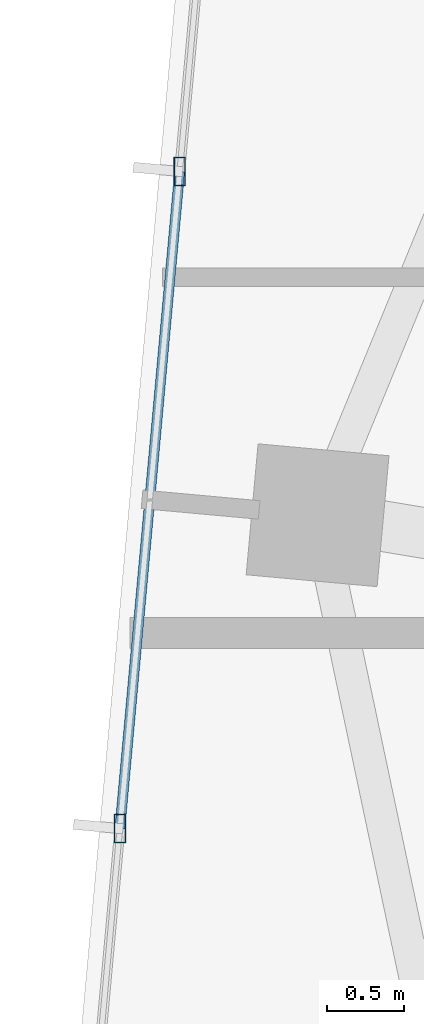
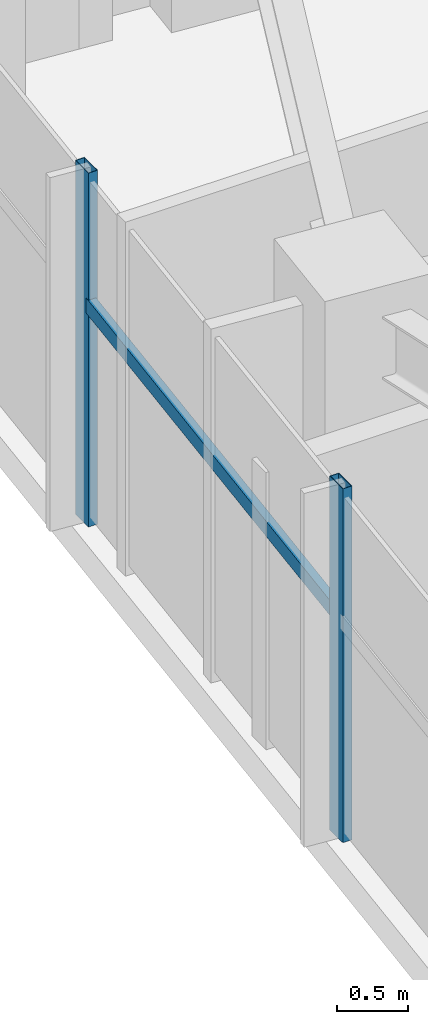
# One storey, part 4 of 22: 3 members, 1 element without a shape of its own.
"""IFC4 building model written with IfcOpenShell, lengths in metres."""

import ifcopenshell
import ifcopenshell.guid

model = None  # the IFC model being written
_history = None  # IfcOwnerHistory: only IFC2X3 demands one
_inside = {}  # id of a spatial element -> (the spatial element, [elements in it])
_under = {}  # id of a project, library or spatial element -> (it, [spatial elements below it])
_declared = {}  # id of a project -> (the project, [libraries it declares])
_typed = {}  # id of a type object -> (the type object, [elements of that type])
_made_of = {}  # id of a material, layer set ... -> (it, [elements and type objects made of it])


def new_model(schema):
    """Start an empty IFC model of exactly this schema.

    Asked for "IFC4X3", IfcOpenShell would pick the latest addendum, in which some entities
    have other attributes; the version numbers below select the first issue.
    IFC2X3 requires an IfcOwnerHistory on every rooted entity: one is made here for all.
    """
    global model, _history
    if schema == "IFC4X3":
        model = ifcopenshell.file(schema_version=(4, 3, 0, 0))
    else:
        model = ifcopenshell.file(schema=schema)
    _inside.clear()
    _under.clear()
    _declared.clear()
    _typed.clear()
    _made_of.clear()
    _history = None
    if model.schema == "IFC2X3":
        org = make("IfcOrganization", Name="unknown")
        user = make(
            "IfcPersonAndOrganization",
            ThePerson=make("IfcPerson", FamilyName="unknown"),
            TheOrganization=org,
        )
        app = make(
            "IfcApplication",
            ApplicationDeveloper=org,
            Version="unknown",
            ApplicationFullName="unknown",
            ApplicationIdentifier="unknown",
        )
        _history = make(
            "IfcOwnerHistory",
            OwningUser=user,
            OwningApplication=app,
            ChangeAction="ADDED",
            CreationDate=0,
        )
    return model


def make(cls, **values):
    """One entity of the class cls with the attributes given. An attribute that is None is left unset."""
    return model.create_entity(
        cls, **{name: value for name, value in values.items() if value is not None}
    )


def rooted(cls, **values):
    """An entity with a GlobalId (a new one), such as an element, a storey or a relation."""
    return make(cls, GlobalId=ifcopenshell.guid.new(), OwnerHistory=_history, **values)


def si_unit(unit_type, name, prefix=None):
    """IfcSIUnit, for example si_unit("LENGTHUNIT", "METRE", prefix="MILLI")."""
    return make("IfcSIUnit", UnitType=unit_type, Prefix=prefix, Name=name)


def assignment(units):
    """IfcUnitAssignment: the units of a project."""
    return None if units is None else make("IfcUnitAssignment", Units=units)


def point(xyz):
    """IfcCartesianPoint."""
    return None if xyz is None else make("IfcCartesianPoint", Coordinates=xyz)


def direction(xyz):
    """IfcDirection."""
    return None if xyz is None else make("IfcDirection", DirectionRatios=xyz)


def frame(location, z_axis=None, x_axis=None):
    """IfcAxis2Placement3D, a coordinate frame: its origin and axes. An axis left out is left unset."""
    return make(
        "IfcAxis2Placement3D",
        Location=point(location),
        Axis=direction(z_axis),
        RefDirection=direction(x_axis),
    )


def frame_2d(location, x_axis=None):
    """IfcAxis2Placement2D, a coordinate frame in the plane: its origin and x axis."""
    return make(
        "IfcAxis2Placement2D", Location=point(location), RefDirection=direction(x_axis)
    )


def origin():
    """The frame at (0, 0, 0) with its axes left unset."""
    return frame((0.0, 0.0, 0.0))


def origin_2d():
    """The frame at (0, 0) in the plane with its x axis left unset."""
    return frame_2d((0.0, 0.0))


def place(relative_to, where):
    """IfcLocalPlacement: puts the frame where relative to a parent placement (None: the world)."""
    return make(
        "IfcLocalPlacement", PlacementRelTo=relative_to, RelativePlacement=where
    )


def context(
    kind, dimensions, precision=None, world=None, true_north=None, identifier=None
):
    """IfcGeometricRepresentationContext, for example the 3D "Model" context."""
    return make(
        "IfcGeometricRepresentationContext",
        ContextIdentifier=identifier,
        ContextType=kind,
        CoordinateSpaceDimension=dimensions,
        Precision=precision,
        WorldCoordinateSystem=world,
        TrueNorth=true_north,
    )


def subcontext(parent, identifier, kind, view, scale=None):
    """IfcGeometricRepresentationSubContext, for example "Body" below "Model"."""
    return make(
        "IfcGeometricRepresentationSubContext",
        ContextIdentifier=identifier,
        ContextType=kind,
        ParentContext=parent,
        TargetScale=scale,
        TargetView=view,
    )


def project(units=None, contexts=None):
    """IfcProject with its units and contexts."""
    return rooted(
        "IfcProject",
        Name="project",
        RepresentationContexts=contexts,
        UnitsInContext=assignment(units),
    )


def spatial(cls, under=None, at=None, **own):
    """A site, building, storey or space (cls), placed at a placement, below another one or the project."""
    s = rooted(cls, ObjectPlacement=at, **own)
    if under is not None:
        _under.setdefault(under.id(), (under, []))[1].append(s)
    return s


def profile(cls, at=None, kind="AREA", **sizes):
    """A parametric profile (cls). Its sizes go by their IFC names, for example OverallWidth=200.0."""
    return make(cls, ProfileType=kind, Position=at, **sizes)


def hollow_rectangle(**sizes):
    """IfcRectangleHollowProfileDef."""
    return profile("IfcRectangleHollowProfileDef", **sizes)


def extrude(swept, where, along, depth):
    """IfcExtrudedAreaSolid: the profile swept, set in the frame where, extruded along a direction by depth."""
    return make(
        "IfcExtrudedAreaSolid",
        SweptArea=swept,
        Position=where,
        ExtrudedDirection=direction(along),
        Depth=depth,
    )


def shape(context_of_items, identifier, shape_type, items):
    """IfcShapeRepresentation: the items that make up one representation, for example the "Body"."""
    return make(
        "IfcShapeRepresentation",
        ContextOfItems=context_of_items,
        RepresentationIdentifier=identifier,
        RepresentationType=shape_type,
        Items=items,
    )


def source(mapping_origin, context_of_items, identifier, shape_type, items):
    """IfcRepresentationMap: a shape defined once, which mapped items show again and again."""
    return make(
        "IfcRepresentationMap",
        MappingOrigin=mapping_origin,
        MappedRepresentation=shape(context_of_items, identifier, shape_type, items),
    )


def transform(
    local_origin,
    x_axis=None,
    y_axis=None,
    z_axis=None,
    scale=None,
    scale2=None,
    scale3=None,
    uniform=True,
):
    """IfcCartesianTransformationOperator3D, or its non-uniform kind. x_axis, y_axis, z_axis: its Axis1, 2, 3."""
    if uniform:
        return make(
            "IfcCartesianTransformationOperator3D",
            Axis1=direction(x_axis),
            Axis2=direction(y_axis),
            LocalOrigin=point(local_origin),
            Scale=scale,
            Axis3=direction(z_axis),
        )
    return make(
        "IfcCartesianTransformationOperator3DnonUniform",
        Axis1=direction(x_axis),
        Axis2=direction(y_axis),
        LocalOrigin=point(local_origin),
        Scale=scale,
        Axis3=direction(z_axis),
        Scale2=scale2,
        Scale3=scale3,
    )


def mapped(mapping_source, mapping_target):
    """IfcMappedItem: shows the shape of a source again, moved by a transform."""
    return make(
        "IfcMappedItem", MappingSource=mapping_source, MappingTarget=mapping_target
    )


def material(Name=None, Category=None):
    """IfcMaterial."""
    return make("IfcMaterial", Name=Name, Category=Category)


def material_profile(
    of_material, cross_section, Name=None, Category=None, Priority=None
):
    """IfcMaterialProfile: a cross section and its material."""
    return make(
        "IfcMaterialProfile",
        Name=Name,
        Material=of_material,
        Profile=cross_section,
        Priority=Priority,
        Category=Category,
    )


def profile_set(profiles, Name=None, composite=None):
    """IfcMaterialProfileSet."""
    return make(
        "IfcMaterialProfileSet",
        Name=Name,
        MaterialProfiles=profiles,
        CompositeProfile=composite,
    )


def made_of(thing, what):
    """Note that an element or type object is made of a material, layer set ...; save() writes the relation."""
    if what is not None:
        _made_of.setdefault(what.id(), (what, []))[1].append(thing)
    return thing


def type_object(cls, material=None, **own):
    """A type object (cls), such as IfcWallType, which elements share."""
    return made_of(rooted(cls, **own), material)


def type_shapes(of_type, sources):
    """Give a type object the sources (RepresentationMaps) that its elements show as mapped items."""
    of_type.RepresentationMaps = sources


def element(
    cls,
    number,
    at=None,
    inside=None,
    cuts=None,
    type_object=None,
    material=None,
    context=None,
    identifier="Body",
    shape_type=None,
    held_by="IfcProductDefinitionShape",
    body=None,
    shapes=None,
    **own,
):
    """One element of the class cls, such as IfcWall. Its Tag is "e" and its number.

    at: its placement. inside: the storey or other place that contains it. cuts: it is an
    opening in that element (IfcRelVoidsElement). A single representation is given by context,
    identifier, shape_type and body (its items); several are given by shapes. held_by: the class
    of the entity that holds the representations. save() writes the other relations.
    """
    e = rooted(cls, Tag="e%d" % number, ObjectPlacement=at, **own)
    if body is not None:
        shapes = [shape(context, identifier, shape_type, body)]
    if shapes is not None:
        e.Representation = make(held_by, Representations=shapes)
    if inside is not None:
        _inside.setdefault(inside.id(), (inside, []))[1].append(e)
    if cuts is not None:
        rooted(
            "IfcRelVoidsElement", RelatingBuildingElement=cuts, RelatedOpeningElement=e
        )
    if type_object is not None:
        _typed.setdefault(type_object.id(), (type_object, []))[1].append(e)
    return made_of(e, material)


def aggregate(whole, parts):
    """IfcRelAggregates: a whole, such as a stair, and the parts it consists of."""
    return rooted("IfcRelAggregates", RelatingObject=whole, RelatedObjects=parts)


def save(model, path):
    """Write the relations noted so far, then the file.

    IfcRelAggregates (storeys below a building ...), IfcRelContainedInSpatialStructure (elements
    in a storey), IfcRelDefinesByType, IfcRelAssociatesMaterial and IfcRelDeclares: one each for
    every whole, place, type object, material and project.
    """
    for whole, parts in _under.values():
        aggregate(whole, parts)
    for where, things in _inside.values():
        rooted(
            "IfcRelContainedInSpatialStructure",
            RelatedElements=things,
            RelatingStructure=where,
        )
    for kind, things in _typed.values():
        rooted("IfcRelDefinesByType", RelatedObjects=things, RelatingType=kind)
    for what, things in _made_of.values():
        rooted("IfcRelAssociatesMaterial", RelatedObjects=things, RelatingMaterial=what)
    for by, libraries in _declared.values():
        rooted("IfcRelDeclares", RelatingContext=by, RelatedDefinitions=libraries)
    model.write(path)


model = new_model("IFC4")

# Units and contexts
model_context = context("Model", 3, precision=1e-05, world=origin(), true_north=direction((0.0, 1.0)))
body_context = subcontext(model_context, "Body", "Model", "MODEL_VIEW")
ifc_project = project(units=[si_unit("LENGTHUNIT", "METRE"), si_unit("AREAUNIT", "SQUARE_METRE"), si_unit("VOLUMEUNIT", "CUBIC_METRE"), si_unit("PLANEANGLEUNIT", "RADIAN"), si_unit("MASSUNIT", "GRAM", prefix="KILO")], contexts=[model_context])

# Site, building, storey
site_placement = place(None, origin())
site = spatial("IfcSite", under=ifc_project, at=site_placement, CompositionType="ELEMENT")
building_placement = place(site_placement, origin())
building = spatial("IfcBuilding", under=site, at=building_placement, Name="Astriad Promenade Condominiums", CompositionType="ELEMENT")
storey_placement = place(building_placement, frame((0.0, 0.0, 252.89990234375)))
storey = spatial("IfcBuildingStorey", under=building, at=storey_placement, Name="L73", CompositionType="ELEMENT", Elevation=252.89990234375)

# Curtain wall, members
ifc_material_1 = material(Name="Anodised aluminium Black Dark Glass Unitised", Category="aluminium")
curtain_wall_type = type_object("IfcCurtainWallType", Name="CW-B5-DARK", PredefinedType="USERDEFINED", material=ifc_material_1)
curtain_wall_placement = place(storey_placement, origin())
curtain_wall = element("IfcCurtainWall", 1, at=curtain_wall_placement, inside=storey, type_object=curtain_wall_type, Name="CW-L73-W", ObjectType="UNITISED_CURTAIN_WALL", PredefinedType="USERDEFINED")
ifc_material_2 = material(Name="Anodised aluminium 6063-T6 Black", Category="aluminium")
ifc_material_profile_1 = material_profile(ifc_material_2, hollow_rectangle(XDim=0.06494140625, YDim=0.1298828125, WallThickness=0.00390625, at=origin_2d()), Name="ALU-TRN-65X130")
ifc_profile_set_1 = profile_set([ifc_material_profile_1], Name="Anodised aluminium 6063-T6 Black")
member_type_1 = type_object("IfcMemberType", Name="TRN-ALU-TRN-65X130", PredefinedType="USERDEFINED", material=ifc_profile_set_1)
shared_shape_1 = source(origin(), body_context, "Body", "SweptSolid", [
    extrude(hollow_rectangle(XDim=0.06494140625, YDim=0.1298828125, WallThickness=0.00390625, at=origin_2d()), origin(), (0.0, 0.0, 1.0), 4.266845703125),
])
type_shapes(member_type_1, [shared_shape_1])
member_1_placement = place(storey_placement, frame((9.4326171875, 17.984375, 1.885009765625), z_axis=(0.090577018386, 0.995889453574, 0.0), x_axis=(-0.995889453574, 0.090577018386, 0.0)))
member_1 = element("IfcMember", 2, at=member_1_placement, type_object=member_type_1, Name="CW-L73-W-TRN-01-0", ObjectType="TRANSOM", PredefinedType="USERDEFINED", context=body_context, shape_type="MappedRepresentation", body=[
    mapped(shared_shape_1, transform((0.0, 0.0, 0.0), scale=1.0)),
])
ifc_material_profile_2 = material_profile(ifc_material_2, hollow_rectangle(XDim=0.074951171875, YDim=0.18505859375, WallThickness=0.00439453125, at=origin_2d()), Name="ALU-MUL-75X185")
ifc_profile_set_2 = profile_set([ifc_material_profile_2], Name="Anodised aluminium 6063-T6 Black")
member_type_2 = type_object("IfcMemberType", Name="MUL-ALU-MUL-75X185", PredefinedType="MULLION", material=ifc_profile_set_2)
shared_shape_2 = source(origin(), body_context, "Body", "SweptSolid", [
    extrude(hollow_rectangle(XDim=0.074951171875, YDim=0.18505859375, WallThickness=0.00439453125, at=origin_2d()), origin(), (0.0, 0.0, 1.0), 3.0400390625),
])
type_shapes(member_type_2, [shared_shape_2])
member_2_placement = place(storey_placement, frame((9.4326171875, 17.984375, 0.0), z_axis=(0.0, 0.0, 1.0), x_axis=(1.0, 0.0, 0.0)))
member_2 = element("IfcMember", 3, at=member_2_placement, type_object=member_type_2, Name="CW-L73-W-MUL-01", PredefinedType="MULLION", context=body_context, shape_type="MappedRepresentation", body=[
    mapped(shared_shape_2, transform((0.0, 0.0, 0.0), scale=1.0)),
])
member_3_placement = place(storey_placement, frame((9.819091796875, 22.233642578125, 0.0), z_axis=(0.0, 0.0, 1.0), x_axis=(1.0, 0.0, 0.0)))
member_3 = element("IfcMember", 4, at=member_3_placement, type_object=member_type_2, Name="CW-L73-W-MUL-02", PredefinedType="MULLION", context=body_context, shape_type="MappedRepresentation", body=[
    mapped(shared_shape_2, transform((0.0, 0.0, 0.0), scale=1.0)),
])
aggregate(curtain_wall, [member_2, member_3, member_1])

save(model, "model.ifc")
